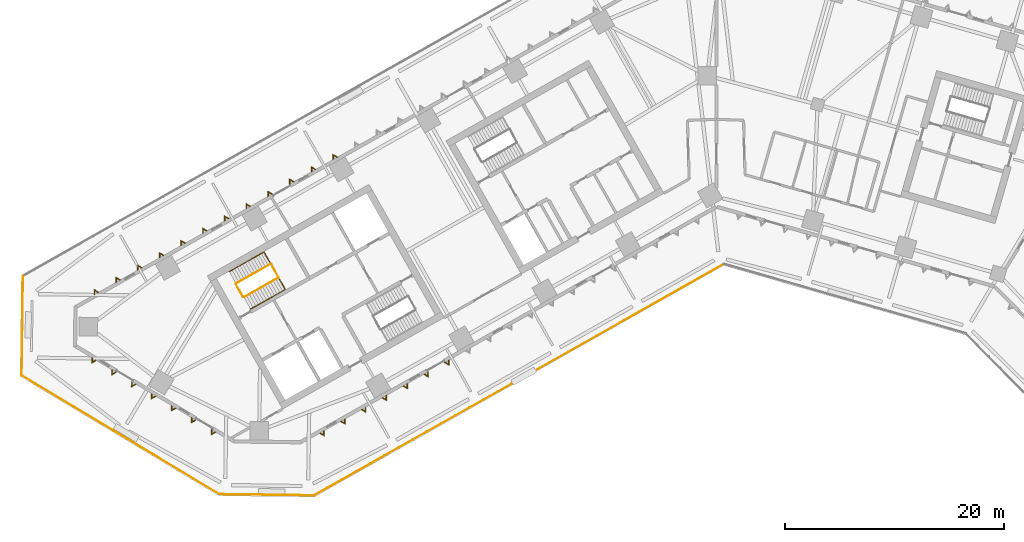
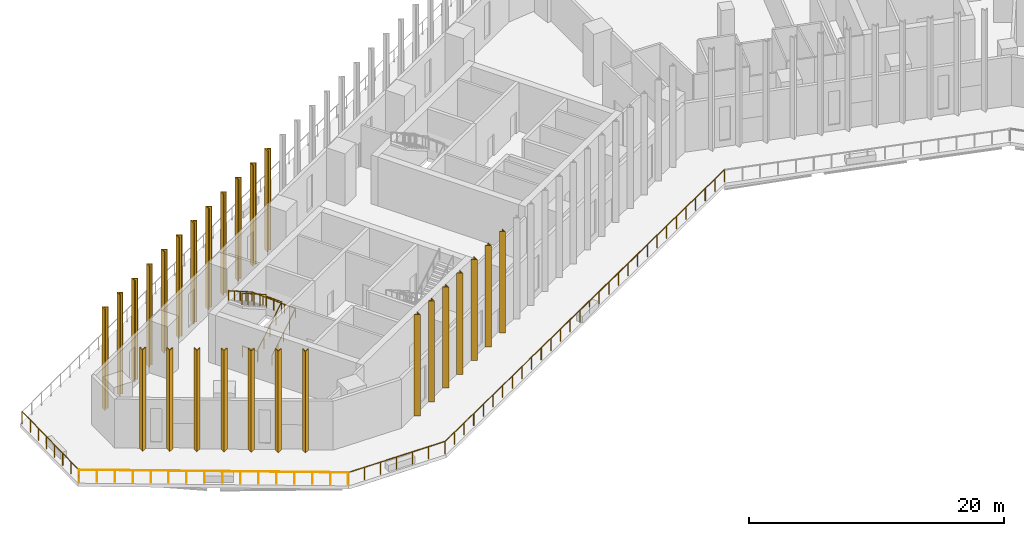
# One storey, part 12 of 17: 26 shading devices, 8 railings.
"""IFC4 building model written with IfcOpenShell, lengths in metres."""

import ifcopenshell
import ifcopenshell.guid

model = None  # the IFC model being written
_history = None  # IfcOwnerHistory: only IFC2X3 demands one
_inside = {}  # id of a spatial element -> (the spatial element, [elements in it])
_under = {}  # id of a project, library or spatial element -> (it, [spatial elements below it])
_declared = {}  # id of a project -> (the project, [libraries it declares])
_typed = {}  # id of a type object -> (the type object, [elements of that type])
_made_of = {}  # id of a material, layer set ... -> (it, [elements and type objects made of it])


def new_model(schema):
    """Start an empty IFC model of exactly this schema.

    Asked for "IFC4X3", IfcOpenShell would pick the latest addendum, in which some entities
    have other attributes; the version numbers below select the first issue.
    IFC2X3 requires an IfcOwnerHistory on every rooted entity: one is made here for all.
    """
    global model, _history
    if schema == "IFC4X3":
        model = ifcopenshell.file(schema_version=(4, 3, 0, 0))
    else:
        model = ifcopenshell.file(schema=schema)
    _inside.clear()
    _under.clear()
    _declared.clear()
    _typed.clear()
    _made_of.clear()
    _history = None
    if model.schema == "IFC2X3":
        org = make("IfcOrganization", Name="unknown")
        user = make(
            "IfcPersonAndOrganization",
            ThePerson=make("IfcPerson", FamilyName="unknown"),
            TheOrganization=org,
        )
        app = make(
            "IfcApplication",
            ApplicationDeveloper=org,
            Version="unknown",
            ApplicationFullName="unknown",
            ApplicationIdentifier="unknown",
        )
        _history = make(
            "IfcOwnerHistory",
            OwningUser=user,
            OwningApplication=app,
            ChangeAction="ADDED",
            CreationDate=0,
        )
    return model


def make(cls, **values):
    """One entity of the class cls with the attributes given. An attribute that is None is left unset."""
    return model.create_entity(
        cls, **{name: value for name, value in values.items() if value is not None}
    )


def rooted(cls, **values):
    """An entity with a GlobalId (a new one), such as an element, a storey or a relation."""
    return make(cls, GlobalId=ifcopenshell.guid.new(), OwnerHistory=_history, **values)


def si_unit(unit_type, name, prefix=None):
    """IfcSIUnit, for example si_unit("LENGTHUNIT", "METRE", prefix="MILLI")."""
    return make("IfcSIUnit", UnitType=unit_type, Prefix=prefix, Name=name)


def assignment(units):
    """IfcUnitAssignment: the units of a project."""
    return None if units is None else make("IfcUnitAssignment", Units=units)


def point(xyz):
    """IfcCartesianPoint."""
    return None if xyz is None else make("IfcCartesianPoint", Coordinates=xyz)


def direction(xyz):
    """IfcDirection."""
    return None if xyz is None else make("IfcDirection", DirectionRatios=xyz)


def frame(location, z_axis=None, x_axis=None):
    """IfcAxis2Placement3D, a coordinate frame: its origin and axes. An axis left out is left unset."""
    return make(
        "IfcAxis2Placement3D",
        Location=point(location),
        Axis=direction(z_axis),
        RefDirection=direction(x_axis),
    )


def frame_2d(location, x_axis=None):
    """IfcAxis2Placement2D, a coordinate frame in the plane: its origin and x axis."""
    return make(
        "IfcAxis2Placement2D", Location=point(location), RefDirection=direction(x_axis)
    )


def origin():
    """The frame at (0, 0, 0) with its axes left unset."""
    return frame((0.0, 0.0, 0.0))


def origin_2d():
    """The frame at (0, 0) in the plane with its x axis left unset."""
    return frame_2d((0.0, 0.0))


def place(relative_to, where):
    """IfcLocalPlacement: puts the frame where relative to a parent placement (None: the world)."""
    return make(
        "IfcLocalPlacement", PlacementRelTo=relative_to, RelativePlacement=where
    )


def context(
    kind, dimensions, precision=None, world=None, true_north=None, identifier=None
):
    """IfcGeometricRepresentationContext, for example the 3D "Model" context."""
    return make(
        "IfcGeometricRepresentationContext",
        ContextIdentifier=identifier,
        ContextType=kind,
        CoordinateSpaceDimension=dimensions,
        Precision=precision,
        WorldCoordinateSystem=world,
        TrueNorth=true_north,
    )


def subcontext(parent, identifier, kind, view, scale=None):
    """IfcGeometricRepresentationSubContext, for example "Body" below "Model"."""
    return make(
        "IfcGeometricRepresentationSubContext",
        ContextIdentifier=identifier,
        ContextType=kind,
        ParentContext=parent,
        TargetScale=scale,
        TargetView=view,
    )


def project(units=None, contexts=None):
    """IfcProject with its units and contexts."""
    return rooted(
        "IfcProject",
        Name="project",
        RepresentationContexts=contexts,
        UnitsInContext=assignment(units),
    )


def spatial(cls, under=None, at=None, **own):
    """A site, building, storey or space (cls), placed at a placement, below another one or the project."""
    s = rooted(cls, ObjectPlacement=at, **own)
    if under is not None:
        _under.setdefault(under.id(), (under, []))[1].append(s)
    return s


def polyline(points):
    """IfcPolyline through the points."""
    return make("IfcPolyline", Points=[point(p) for p in points])


def profile(cls, at=None, kind="AREA", **sizes):
    """A parametric profile (cls). Its sizes go by their IFC names, for example OverallWidth=200.0."""
    return make(cls, ProfileType=kind, Position=at, **sizes)


def circle(**sizes):
    """IfcCircleProfileDef."""
    return profile("IfcCircleProfileDef", **sizes)


def outline(outer, holes=None, kind="AREA"):
    """IfcArbitraryClosedProfileDef: a profile drawn as a closed curve; with holes, ...WithVoids."""
    if holes is None:
        return make("IfcArbitraryClosedProfileDef", ProfileType=kind, OuterCurve=outer)
    return make(
        "IfcArbitraryProfileDefWithVoids",
        ProfileType=kind,
        OuterCurve=outer,
        InnerCurves=holes,
    )


def extrude(swept, where, along, depth):
    """IfcExtrudedAreaSolid: the profile swept, set in the frame where, extruded along a direction by depth."""
    return make(
        "IfcExtrudedAreaSolid",
        SweptArea=swept,
        Position=where,
        ExtrudedDirection=direction(along),
        Depth=depth,
    )


def shape(context_of_items, identifier, shape_type, items):
    """IfcShapeRepresentation: the items that make up one representation, for example the "Body"."""
    return make(
        "IfcShapeRepresentation",
        ContextOfItems=context_of_items,
        RepresentationIdentifier=identifier,
        RepresentationType=shape_type,
        Items=items,
    )


def material(Name=None, Category=None):
    """IfcMaterial."""
    return make("IfcMaterial", Name=Name, Category=Category)


def made_of(thing, what):
    """Note that an element or type object is made of a material, layer set ...; save() writes the relation."""
    if what is not None:
        _made_of.setdefault(what.id(), (what, []))[1].append(thing)
    return thing


def type_object(cls, material=None, **own):
    """A type object (cls), such as IfcWallType, which elements share."""
    return made_of(rooted(cls, **own), material)


def element(
    cls,
    number,
    at=None,
    inside=None,
    cuts=None,
    type_object=None,
    material=None,
    context=None,
    identifier="Body",
    shape_type=None,
    held_by="IfcProductDefinitionShape",
    body=None,
    shapes=None,
    **own,
):
    """One element of the class cls, such as IfcWall. Its Tag is "e" and its number.

    at: its placement. inside: the storey or other place that contains it. cuts: it is an
    opening in that element (IfcRelVoidsElement). A single representation is given by context,
    identifier, shape_type and body (its items); several are given by shapes. held_by: the class
    of the entity that holds the representations. save() writes the other relations.
    """
    e = rooted(cls, Tag="e%d" % number, ObjectPlacement=at, **own)
    if body is not None:
        shapes = [shape(context, identifier, shape_type, body)]
    if shapes is not None:
        e.Representation = make(held_by, Representations=shapes)
    if inside is not None:
        _inside.setdefault(inside.id(), (inside, []))[1].append(e)
    if cuts is not None:
        rooted(
            "IfcRelVoidsElement", RelatingBuildingElement=cuts, RelatedOpeningElement=e
        )
    if type_object is not None:
        _typed.setdefault(type_object.id(), (type_object, []))[1].append(e)
    return made_of(e, material)


def aggregate(whole, parts):
    """IfcRelAggregates: a whole, such as a stair, and the parts it consists of."""
    return rooted("IfcRelAggregates", RelatingObject=whole, RelatedObjects=parts)


def save(model, path):
    """Write the relations noted so far, then the file.

    IfcRelAggregates (storeys below a building ...), IfcRelContainedInSpatialStructure (elements
    in a storey), IfcRelDefinesByType, IfcRelAssociatesMaterial and IfcRelDeclares: one each for
    every whole, place, type object, material and project.
    """
    for whole, parts in _under.values():
        aggregate(whole, parts)
    for where, things in _inside.values():
        rooted(
            "IfcRelContainedInSpatialStructure",
            RelatedElements=things,
            RelatingStructure=where,
        )
    for kind, things in _typed.values():
        rooted("IfcRelDefinesByType", RelatedObjects=things, RelatingType=kind)
    for what, things in _made_of.values():
        rooted("IfcRelAssociatesMaterial", RelatedObjects=things, RelatingMaterial=what)
    for by, libraries in _declared.values():
        rooted("IfcRelDeclares", RelatingContext=by, RelatedDefinitions=libraries)
    model.write(path)


model = new_model("IFC4")

# Units and contexts
model_context = context("Model", 3, precision=1e-05, world=origin(), true_north=direction((0.0, 1.0)))
body_context = subcontext(model_context, "Body", "Model", "MODEL_VIEW")
ifc_project = project(units=[si_unit("LENGTHUNIT", "METRE"), si_unit("AREAUNIT", "SQUARE_METRE"), si_unit("VOLUMEUNIT", "CUBIC_METRE"), si_unit("PLANEANGLEUNIT", "RADIAN"), si_unit("MASSUNIT", "GRAM", prefix="KILO")], contexts=[model_context])

# Site, building, storey
site_placement = place(None, origin())
site = spatial("IfcSite", under=ifc_project, at=site_placement, CompositionType="ELEMENT")
building_placement = place(site_placement, origin())
building = spatial("IfcBuilding", under=site, at=building_placement, Name="Binnacle Exchange Tower", CompositionType="ELEMENT")
storey_placement = place(building_placement, frame((0.0, 0.0, 26.5)))
storey = spatial("IfcBuildingStorey", under=building, at=storey_placement, Name="L05", CompositionType="ELEMENT", Elevation=26.5)

# Railings
ifc_material_1 = material(Name="Bronze anodised aluminium frame", Category="aluminium")
railing_type_1 = type_object("IfcRailingType", Name="GUARD 1200", PredefinedType="GUARDRAIL", material=ifc_material_1)
railing_1_placement = place(storey_placement, frame((-63.48291015625, 41.655517578125, 0.0)))
element("IfcRailing", 1, at=railing_1_placement, inside=storey, type_object=railing_type_1, Name="Terrace guard 5 Terrace P", PredefinedType="GUARDRAIL", context=body_context, shape_type="SweptSolid", body=[
    extrude(circle(Radius=0.02392578125, at=origin_2d()), frame((0.0, 0.0, 1.17578125), z_axis=(-0.013094626441, -0.999914261704, 0.0), x_axis=(0.999914261704, -0.013094626441, 0.0)), (0.0, 0.0, 1.0), 9.098388671875),
    extrude(circle(Radius=0.02099609375, at=origin_2d()), origin(), (0.0, 0.0, 1.0), 1.15185546875),
    extrude(circle(Radius=0.02099609375, at=origin_2d()), frame((-0.01708984375, -1.299560546875, 0.0)), (0.0, 0.0, 1.0), 1.15185546875),
    extrude(circle(Radius=0.02099609375, at=origin_2d()), frame((-0.033935546875, -2.599365234375, 0.0)), (0.0, 0.0, 1.0), 1.15185546875),
    extrude(circle(Radius=0.02099609375, at=origin_2d()), frame((-0.051025390625, -3.89892578125, 0.0)), (0.0, 0.0, 1.0), 1.15185546875),
    extrude(circle(Radius=0.02099609375, at=origin_2d()), frame((-0.068115234375, -5.19873046875, 0.0)), (0.0, 0.0, 1.0), 1.15185546875),
    extrude(circle(Radius=0.02099609375, at=origin_2d()), frame((-0.085205078125, -6.498291015625, 0.0)), (0.0, 0.0, 1.0), 1.15185546875),
    extrude(circle(Radius=0.02099609375, at=origin_2d()), frame((-0.10205078125, -7.798095703125, 0.0)), (0.0, 0.0, 1.0), 1.15185546875),
    extrude(circle(Radius=0.02099609375, at=origin_2d()), frame((-0.119140625, -9.09765625, 0.0)), (0.0, 0.0, 1.0), 1.15185546875),
])
railing_2_placement = place(storey_placement, frame((-63.60205078125, 32.557861328125, 0.0)))
element("IfcRailing", 2, at=railing_2_placement, inside=storey, type_object=railing_type_1, Name="Terrace guard 6 Terrace P", PredefinedType="GUARDRAIL", context=body_context, shape_type="SweptSolid", body=[
    extrude(circle(Radius=0.02392578125, at=origin_2d()), frame((0.0, 0.0, 1.17578125), z_axis=(0.857169073019, -0.515035125269, 0.0), x_axis=(0.515035125269, 0.857169073019, 0.0)), (0.0, 0.0, 1.0), 21.09716796875),
    extrude(circle(Radius=0.02099609375, at=origin_2d()), origin(), (0.0, 0.0, 1.0), 1.15185546875),
    extrude(circle(Radius=0.02099609375, at=origin_2d()), frame((1.20556640625, -0.724365234375, 0.0)), (0.0, 0.0, 1.0), 1.15185546875),
    extrude(circle(Radius=0.02099609375, at=origin_2d()), frame((2.4111328125, -1.44873046875, 0.0)), (0.0, 0.0, 1.0), 1.15185546875),
    extrude(circle(Radius=0.02099609375, at=origin_2d()), frame((3.61669921875, -2.173095703125, 0.0)), (0.0, 0.0, 1.0), 1.15185546875),
    extrude(circle(Radius=0.02099609375, at=origin_2d()), frame((4.822265625, -2.8974609375, 0.0)), (0.0, 0.0, 1.0), 1.15185546875),
    extrude(circle(Radius=0.02099609375, at=origin_2d()), frame((6.02783203125, -3.621826171875, 0.0)), (0.0, 0.0, 1.0), 1.15185546875),
    extrude(circle(Radius=0.02099609375, at=origin_2d()), frame((7.2333984375, -4.34619140625, 0.0)), (0.0, 0.0, 1.0), 1.15185546875),
    extrude(circle(Radius=0.02099609375, at=origin_2d()), frame((8.43896484375, -5.070556640625, 0.0)), (0.0, 0.0, 1.0), 1.15185546875),
    extrude(circle(Radius=0.02099609375, at=origin_2d()), frame((9.644775390625, -5.795166015625, 0.0)), (0.0, 0.0, 1.0), 1.15185546875),
    extrude(circle(Radius=0.02099609375, at=origin_2d()), frame((10.850341796875, -6.51953125, 0.0)), (0.0, 0.0, 1.0), 1.15185546875),
    extrude(circle(Radius=0.02099609375, at=origin_2d()), frame((12.055908203125, -7.243896484375, 0.0)), (0.0, 0.0, 1.0), 1.15185546875),
    extrude(circle(Radius=0.02099609375, at=origin_2d()), frame((13.261474609375, -7.96826171875, 0.0)), (0.0, 0.0, 1.0), 1.15185546875),
    extrude(circle(Radius=0.02099609375, at=origin_2d()), frame((14.467041015625, -8.692626953125, 0.0)), (0.0, 0.0, 1.0), 1.15185546875),
    extrude(circle(Radius=0.02099609375, at=origin_2d()), frame((15.672607421875, -9.4169921875, 0.0)), (0.0, 0.0, 1.0), 1.15185546875),
    extrude(circle(Radius=0.02099609375, at=origin_2d()), frame((16.878173828125, -10.141357421875, 0.0)), (0.0, 0.0, 1.0), 1.15185546875),
    extrude(circle(Radius=0.02099609375, at=origin_2d()), frame((18.083740234375, -10.86572265625, 0.0)), (0.0, 0.0, 1.0), 1.15185546875),
])
railing_3_placement = place(storey_placement, frame((-45.518310546875, 21.692138671875, 0.0)))
element("IfcRailing", 3, at=railing_3_placement, inside=storey, type_object=railing_type_1, Name="Terrace guard 7 Terrace P", PredefinedType="GUARDRAIL", context=body_context, shape_type="SweptSolid", body=[
    extrude(circle(Radius=0.02392578125, at=origin_2d()), frame((0.0, 0.0, 1.17578125), z_axis=(0.999914238981, -0.013096361466, 0.0), x_axis=(0.013096361466, 0.999914238981, 0.0)), (0.0, 0.0, 1.0), 8.66845703125),
    extrude(circle(Radius=0.02099609375, at=origin_2d()), origin(), (0.0, 0.0, 1.0), 1.15185546875),
    extrude(circle(Radius=0.02099609375, at=origin_2d()), frame((1.444580078125, -0.01904296875, 0.0)), (0.0, 0.0, 1.0), 1.15185546875),
    extrude(circle(Radius=0.02099609375, at=origin_2d()), frame((2.88916015625, -0.037841796875, 0.0)), (0.0, 0.0, 1.0), 1.15185546875),
    extrude(circle(Radius=0.02099609375, at=origin_2d()), frame((4.333984375, -0.056640625, 0.0)), (0.0, 0.0, 1.0), 1.15185546875),
    extrude(circle(Radius=0.02099609375, at=origin_2d()), frame((5.778564453125, -0.07568359375, 0.0)), (0.0, 0.0, 1.0), 1.15185546875),
    extrude(circle(Radius=0.02099609375, at=origin_2d()), frame((7.22314453125, -0.0947265625, 0.0)), (0.0, 0.0, 1.0), 1.15185546875),
    extrude(circle(Radius=0.02099609375, at=origin_2d()), frame((8.667724609375, -0.113525390625, 0.0)), (0.0, 0.0, 1.0), 1.15185546875),
])
railing_4_placement = place(storey_placement, frame((-36.8505859375, 21.57861328125, 0.0)))
element("IfcRailing", 4, at=railing_4_placement, inside=storey, type_object=railing_type_1, Name="Terrace guard 8 Terrace P", PredefinedType="GUARDRAIL", context=body_context, shape_type="SweptSolid", body=[
    extrude(circle(Radius=0.02392578125, at=origin_2d()), frame((0.0, 0.0, 1.17578125), z_axis=(0.870868977388, 0.491515232951, 0.0), x_axis=(-0.491515232951, 0.870868977388, 0.0)), (0.0, 0.0, 1.0), 43.093994140625),
    extrude(circle(Radius=0.02099609375, at=origin_2d()), origin(), (0.0, 0.0, 1.0), 1.15185546875),
    extrude(circle(Radius=0.02099609375, at=origin_2d()), frame((1.294189453125, 0.73046875, 0.0)), (0.0, 0.0, 1.0), 1.15185546875),
    extrude(circle(Radius=0.02099609375, at=origin_2d()), frame((2.588134765625, 1.460693359375, 0.0)), (0.0, 0.0, 1.0), 1.15185546875),
    extrude(circle(Radius=0.02099609375, at=origin_2d()), frame((3.88232421875, 2.191162109375, 0.0)), (0.0, 0.0, 1.0), 1.15185546875),
    extrude(circle(Radius=0.02099609375, at=origin_2d()), frame((5.176513671875, 2.921630859375, 0.0)), (0.0, 0.0, 1.0), 1.15185546875),
    extrude(circle(Radius=0.02099609375, at=origin_2d()), frame((6.470458984375, 3.65185546875, 0.0)), (0.0, 0.0, 1.0), 1.15185546875),
    extrude(circle(Radius=0.02099609375, at=origin_2d()), frame((7.7646484375, 4.38232421875, 0.0)), (0.0, 0.0, 1.0), 1.15185546875),
    extrude(circle(Radius=0.02099609375, at=origin_2d()), frame((9.058837890625, 5.11279296875, 0.0)), (0.0, 0.0, 1.0), 1.15185546875),
    extrude(circle(Radius=0.02099609375, at=origin_2d()), frame((10.35302734375, 5.84326171875, 0.0)), (0.0, 0.0, 1.0), 1.15185546875),
    extrude(circle(Radius=0.02099609375, at=origin_2d()), frame((11.64697265625, 6.573486328125, 0.0)), (0.0, 0.0, 1.0), 1.15185546875),
    extrude(circle(Radius=0.02099609375, at=origin_2d()), frame((12.941162109375, 7.303955078125, 0.0)), (0.0, 0.0, 1.0), 1.15185546875),
    extrude(circle(Radius=0.02099609375, at=origin_2d()), frame((14.2353515625, 8.034423828125, 0.0)), (0.0, 0.0, 1.0), 1.15185546875),
    extrude(circle(Radius=0.02099609375, at=origin_2d()), frame((15.529296875, 8.7646484375, 0.0)), (0.0, 0.0, 1.0), 1.15185546875),
    extrude(circle(Radius=0.02099609375, at=origin_2d()), frame((16.823486328125, 9.4951171875, 0.0)), (0.0, 0.0, 1.0), 1.15185546875),
    extrude(circle(Radius=0.02099609375, at=origin_2d()), frame((18.11767578125, 10.2255859375, 0.0)), (0.0, 0.0, 1.0), 1.15185546875),
    extrude(circle(Radius=0.02099609375, at=origin_2d()), frame((19.41162109375, 10.955810546875, 0.0)), (0.0, 0.0, 1.0), 1.15185546875),
    extrude(circle(Radius=0.02099609375, at=origin_2d()), frame((20.705810546875, 11.686279296875, 0.0)), (0.0, 0.0, 1.0), 1.15185546875),
    extrude(circle(Radius=0.02099609375, at=origin_2d()), frame((22.0, 12.416748046875, 0.0)), (0.0, 0.0, 1.0), 1.15185546875),
    extrude(circle(Radius=0.02099609375, at=origin_2d()), frame((23.2939453125, 13.14697265625, 0.0)), (0.0, 0.0, 1.0), 1.15185546875),
    extrude(circle(Radius=0.02099609375, at=origin_2d()), frame((24.588134765625, 13.87744140625, 0.0)), (0.0, 0.0, 1.0), 1.15185546875),
    extrude(circle(Radius=0.02099609375, at=origin_2d()), frame((25.88232421875, 14.60791015625, 0.0)), (0.0, 0.0, 1.0), 1.15185546875),
    extrude(circle(Radius=0.02099609375, at=origin_2d()), frame((27.17626953125, 15.338134765625, 0.0)), (0.0, 0.0, 1.0), 1.15185546875),
    extrude(circle(Radius=0.02099609375, at=origin_2d()), frame((28.470458984375, 16.068603515625, 0.0)), (0.0, 0.0, 1.0), 1.15185546875),
    extrude(circle(Radius=0.02099609375, at=origin_2d()), frame((29.7646484375, 16.799072265625, 0.0)), (0.0, 0.0, 1.0), 1.15185546875),
    extrude(circle(Radius=0.02099609375, at=origin_2d()), frame((31.058837890625, 17.529541015625, 0.0)), (0.0, 0.0, 1.0), 1.15185546875),
    extrude(circle(Radius=0.02099609375, at=origin_2d()), frame((32.352783203125, 18.259765625, 0.0)), (0.0, 0.0, 1.0), 1.15185546875),
    extrude(circle(Radius=0.02099609375, at=origin_2d()), frame((33.64697265625, 18.990234375, 0.0)), (0.0, 0.0, 1.0), 1.15185546875),
    extrude(circle(Radius=0.02099609375, at=origin_2d()), frame((34.941162109375, 19.720703125, 0.0)), (0.0, 0.0, 1.0), 1.15185546875),
    extrude(circle(Radius=0.02099609375, at=origin_2d()), frame((36.235107421875, 20.450927734375, 0.0)), (0.0, 0.0, 1.0), 1.15185546875),
    extrude(circle(Radius=0.02099609375, at=origin_2d()), frame((37.529296875, 21.181396484375, 0.0)), (0.0, 0.0, 1.0), 1.15185546875),
])
ifc_material_2 = material(Name="Steel guard rail", Category="steel")
railing_type_2 = type_object("IfcRailingType", Name="STAIR GUARD 1100", PredefinedType="GUARDRAIL", material=ifc_material_2)
railing_5_placement = place(storey_placement, frame((-43.26171875, 39.71728515625, 0.178466796875)))
element("IfcRailing", 5, at=railing_5_placement, inside=storey, type_object=railing_type_2, Name="L05 STA1 stair guard 1", PredefinedType="GUARDRAIL", context=body_context, shape_type="SweptSolid", body=[
    extrude(circle(Radius=0.02392578125, at=origin_2d()), frame((0.0, 0.0, 1.076171875), z_axis=(0.733795554141, 0.415191658331, 0.537735968274), x_axis=(-0.492450612189, 0.870340390052, 0.0)), (0.0, 0.0, 1.0), 4.317138671875),
    extrude(circle(Radius=0.02392578125, at=origin_2d()), frame((3.16796875, 1.79248046875, 3.3974609375), z_axis=(-0.460963092712, 0.887419307406, 0.0), x_axis=(-0.887419307406, -0.460963092712, 0.0)), (0.0, 0.0, 1.0), 1.40087890625),
    extrude(circle(Radius=0.02099609375, at=origin_2d()), origin(), (0.0, 0.0, 1.0), 1.052001953125),
    extrude(circle(Radius=0.02099609375, at=origin_2d()), frame((0.7919921875, 0.4482421875, 0.580322265625)), (0.0, 0.0, 1.0), 1.052001953125),
    extrude(circle(Radius=0.02099609375, at=origin_2d()), frame((1.583984375, 0.896240234375, 1.16064453125)), (0.0, 0.0, 1.0), 1.052001953125),
    extrude(circle(Radius=0.02099609375, at=origin_2d()), frame((2.3759765625, 1.34423828125, 1.7412109375)), (0.0, 0.0, 1.0), 1.052001953125),
    extrude(circle(Radius=0.02099609375, at=origin_2d()), frame((3.16796875, 1.79248046875, 2.321533203125)), (0.0, 0.0, 1.0), 1.052001953125),
    extrude(circle(Radius=0.02099609375, at=origin_2d()), frame((2.84521484375, 2.4140625, 2.321533203125)), (0.0, 0.0, 1.0), 1.052001953125),
    extrude(circle(Radius=0.02099609375, at=origin_2d()), frame((2.522216796875, 3.03564453125, 2.321533203125)), (0.0, 0.0, 1.0), 1.052001953125),
])
railing_6_placement = place(storey_placement, frame((-40.8076171875, 42.771728515625, 2.678466796875)))
element("IfcRailing", 6, at=railing_6_placement, inside=storey, type_object=railing_type_2, Name="L05 STA1 stair guard 2", PredefinedType="GUARDRAIL", context=body_context, shape_type="SweptSolid", body=[
    extrude(circle(Radius=0.02392578125, at=origin_2d()), frame((0.0, 0.0, 1.076171875), z_axis=(-0.733821652932, -0.415174429824, 0.537713654753), x_axis=(0.492421866095, -0.870356654361, 0.0)), (0.0, 0.0, 1.0), 4.3173828125),
    extrude(circle(Radius=0.02099609375, at=origin_2d()), origin(), (0.0, 0.0, 1.0), 1.052001953125),
    extrude(circle(Radius=0.02099609375, at=origin_2d()), frame((-0.7919921875, -0.4482421875, 0.580322265625)), (0.0, 0.0, 1.0), 1.052001953125),
    extrude(circle(Radius=0.02099609375, at=origin_2d()), frame((-1.583984375, -0.896240234375, 1.16064453125)), (0.0, 0.0, 1.0), 1.052001953125),
    extrude(circle(Radius=0.02099609375, at=origin_2d()), frame((-2.376220703125, -1.34423828125, 1.7412109375)), (0.0, 0.0, 1.0), 1.052001953125),
    extrude(circle(Radius=0.02099609375, at=origin_2d()), frame((-3.168212890625, -1.79248046875, 2.321533203125)), (0.0, 0.0, 1.0), 1.052001953125),
])
railing_7_placement = place(storey_placement, frame((-43.329833984375, 39.736328125, 0.0)))
element("IfcRailing", 7, at=railing_7_placement, inside=storey, type_object=railing_type_2, Name="L05 STA1 stair guard 3", PredefinedType="GUARDRAIL", context=body_context, shape_type="SweptSolid", body=[
    extrude(circle(Radius=0.02392578125, at=origin_2d()), frame((0.0, 0.0, 1.076171875), z_axis=(-0.4924922531, 0.870316827734, 0.0), x_axis=(-0.870316827734, -0.4924922531, 0.0)), (0.0, 0.0, 1.0), 1.349853515625),
    extrude(circle(Radius=0.02099609375, at=origin_2d()), origin(), (0.0, 0.0, 1.0), 1.052001953125),
    extrude(circle(Radius=0.02099609375, at=origin_2d()), frame((-0.33251953125, 0.58740234375, 0.0)), (0.0, 0.0, 1.0), 1.052001953125),
    extrude(circle(Radius=0.02099609375, at=origin_2d()), frame((-0.664794921875, 1.1748046875, 0.0)), (0.0, 0.0, 1.0), 1.052001953125),
])
ifc_material_3 = material(Name="Steel handrail", Category="steel")
railing_type_3 = type_object("IfcRailingType", Name="STAIR HANDRAIL 900", PredefinedType="HANDRAIL", material=ifc_material_3)
railing_8_placement = place(storey_placement, frame((-42.646240234375, 38.62939453125, 0.178466796875)))
element("IfcRailing", 8, at=railing_8_placement, inside=storey, type_object=railing_type_3, Name="L05 STA1 stair handrail 1", PredefinedType="HANDRAIL", context=body_context, shape_type="SweptSolid", body=[
    extrude(circle(Radius=0.02392578125, at=origin_2d()), frame((0.0, 0.0, 0.8759765625), z_axis=(0.733821652932, 0.415174429824, 0.537713654753), x_axis=(-0.492421866095, 0.870356654361, 0.0)), (0.0, 0.0, 1.0), 4.3173828125),
    extrude(circle(Radius=0.02392578125, at=origin_2d()), frame((3.168212890625, 1.79248046875, 3.197265625), z_axis=(-0.491985021148, 0.869432866815, 0.045135674003), x_axis=(-0.870319839224, -0.492486931251, 0.0)), (0.0, 0.0, 1.0), 3.9541015625),
    extrude(circle(Radius=0.02392578125, at=origin_2d()), frame((1.222900390625, 5.230224609375, 3.3759765625), z_axis=(-0.733812782489, -0.415144854829, 0.537748593457), x_axis=(0.492399802317, -0.870369137021, 0.0)), (0.0, 0.0, 1.0), 4.317138671875),
    extrude(circle(Radius=0.02099609375, at=origin_2d()), origin(), (0.0, 0.0, 1.0), 0.851806640625),
    extrude(circle(Radius=0.02099609375, at=origin_2d()), frame((0.7919921875, 0.4482421875, 0.580322265625)), (0.0, 0.0, 1.0), 0.851806640625),
    extrude(circle(Radius=0.02099609375, at=origin_2d()), frame((1.583984375, 0.896240234375, 1.16064453125)), (0.0, 0.0, 1.0), 0.851806640625),
    extrude(circle(Radius=0.02099609375, at=origin_2d()), frame((2.376220703125, 1.34423828125, 1.7412109375)), (0.0, 0.0, 1.0), 0.851806640625),
    extrude(circle(Radius=0.02099609375, at=origin_2d()), frame((3.168212890625, 1.79248046875, 2.321533203125)), (0.0, 0.0, 1.0), 0.851806640625),
    extrude(circle(Radius=0.02099609375, at=origin_2d()), frame((2.681884765625, 2.65185546875, 2.3662109375)), (0.0, 0.0, 1.0), 0.851806640625),
    extrude(circle(Radius=0.02099609375, at=origin_2d()), frame((2.195556640625, 3.51123046875, 2.41064453125)), (0.0, 0.0, 1.0), 0.851806640625),
    extrude(circle(Radius=0.02099609375, at=origin_2d()), frame((1.709228515625, 4.370849609375, 2.455322265625)), (0.0, 0.0, 1.0), 0.851806640625),
    extrude(circle(Radius=0.02099609375, at=origin_2d()), frame((1.222900390625, 5.230224609375, 2.5)), (0.0, 0.0, 1.0), 0.851806640625),
    extrude(circle(Radius=0.02099609375, at=origin_2d()), frame((0.430908203125, 4.7822265625, 3.080322265625)), (0.0, 0.0, 1.0), 0.851806640625),
    extrude(circle(Radius=0.02099609375, at=origin_2d()), frame((-0.361083984375, 4.333984375, 3.66064453125)), (0.0, 0.0, 1.0), 0.851806640625),
    extrude(circle(Radius=0.02099609375, at=origin_2d()), frame((-1.153076171875, 3.885986328125, 4.2412109375)), (0.0, 0.0, 1.0), 0.851806640625),
    extrude(circle(Radius=0.02099609375, at=origin_2d()), frame((-1.945068359375, 3.43798828125, 4.821533203125)), (0.0, 0.0, 1.0), 0.851806640625),
])

# Shading devices
ifc_material_4 = material(Name="Bronze aluminium cladding", Category="aluminium")
shading_device_type = type_object("IfcShadingDeviceType", Name="V FIN 433 DEEP x 9680 HIGH", PredefinedType="USERDEFINED", material=ifc_material_4)
shading_device_1_placement = place(storey_placement, origin())
element("IfcShadingDevice", 9, at=shading_device_1_placement, inside=storey, type_object=shading_device_type, Name="V fin FN-F03-16 L05", ObjectType="FIN", PredefinedType="USERDEFINED", context=body_context, shape_type="SweptSolid", body=[
    extrude(outline(polyline([(-34.687255859375, 52.547119140625), (-35.1181640625, 52.80078125), (-35.12255859375, 52.30078125), (-35.0419921875, 52.346435546875), (-35.039306640625, 52.66162109375), (-34.767578125, 52.501708984375), (-34.687255859375, 52.547119140625)])), origin(), (0.0, 0.0, 1.0), 9.679931640625),
])
shading_device_2_placement = place(storey_placement, origin())
element("IfcShadingDevice", 10, at=shading_device_2_placement, inside=storey, type_object=shading_device_type, Name="V fin FN-F03-17 L05", ObjectType="FIN", PredefinedType="USERDEFINED", context=body_context, shape_type="SweptSolid", body=[
    extrude(outline(polyline([(-36.673828125, 51.423095703125), (-37.104736328125, 51.677001953125), (-37.109130859375, 51.177001953125), (-37.02880859375, 51.222412109375), (-37.02587890625, 51.53759765625), (-36.75439453125, 51.377685546875), (-36.673828125, 51.423095703125)])), origin(), (0.0, 0.0, 1.0), 9.679931640625),
])
shading_device_3_placement = place(storey_placement, origin())
element("IfcShadingDevice", 11, at=shading_device_3_placement, inside=storey, type_object=shading_device_type, Name="V fin FN-F03-18 L05", ObjectType="FIN", PredefinedType="USERDEFINED", context=body_context, shape_type="SweptSolid", body=[
    extrude(outline(polyline([(-38.660400390625, 50.29931640625), (-39.09130859375, 50.552978515625), (-39.095703125, 50.052978515625), (-39.015380859375, 50.098388671875), (-39.012451171875, 50.413818359375), (-38.740966796875, 50.253662109375), (-38.660400390625, 50.29931640625)])), origin(), (0.0, 0.0, 1.0), 9.679931640625),
])
shading_device_4_placement = place(storey_placement, origin())
element("IfcShadingDevice", 12, at=shading_device_4_placement, inside=storey, type_object=shading_device_type, Name="V fin FN-F03-19 L05", ObjectType="FIN", PredefinedType="USERDEFINED", context=body_context, shape_type="SweptSolid", body=[
    extrude(outline(polyline([(-40.64697265625, 49.17529296875), (-41.077880859375, 49.42919921875), (-41.082275390625, 48.92919921875), (-41.001708984375, 48.974609375), (-40.9990234375, 49.289794921875), (-40.727294921875, 49.1298828125), (-40.64697265625, 49.17529296875)])), origin(), (0.0, 0.0, 1.0), 9.679931640625),
])
shading_device_5_placement = place(storey_placement, origin())
element("IfcShadingDevice", 13, at=shading_device_5_placement, inside=storey, type_object=shading_device_type, Name="V fin FN-F03-20 L05", ObjectType="FIN", PredefinedType="USERDEFINED", context=body_context, shape_type="SweptSolid", body=[
    extrude(outline(polyline([(-42.633544921875, 48.05126953125), (-43.064453125, 48.30517578125), (-43.06884765625, 47.80517578125), (-42.98828125, 47.8505859375), (-42.985595703125, 48.165771484375), (-42.714111328125, 48.005859375), (-42.633544921875, 48.05126953125)])), origin(), (0.0, 0.0, 1.0), 9.679931640625),
])
shading_device_6_placement = place(storey_placement, origin())
element("IfcShadingDevice", 14, at=shading_device_6_placement, inside=storey, type_object=shading_device_type, Name="V fin FN-F03-21 L05", ObjectType="FIN", PredefinedType="USERDEFINED", context=body_context, shape_type="SweptSolid", body=[
    extrude(outline(polyline([(-44.6201171875, 46.927490234375), (-45.051025390625, 47.18115234375), (-45.055419921875, 46.68115234375), (-44.97509765625, 46.726806640625), (-44.97216796875, 47.0419921875), (-44.70068359375, 46.8818359375), (-44.6201171875, 46.927490234375)])), origin(), (0.0, 0.0, 1.0), 9.679931640625),
])
shading_device_7_placement = place(storey_placement, origin())
element("IfcShadingDevice", 15, at=shading_device_7_placement, inside=storey, type_object=shading_device_type, Name="V fin FN-F03-22 L05", ObjectType="FIN", PredefinedType="USERDEFINED", context=body_context, shape_type="SweptSolid", body=[
    extrude(outline(polyline([(-46.606689453125, 45.803466796875), (-47.03759765625, 46.057373046875), (-47.0419921875, 45.557373046875), (-46.96142578125, 45.602783203125), (-46.958740234375, 45.91796875), (-46.68701171875, 45.758056640625), (-46.606689453125, 45.803466796875)])), origin(), (0.0, 0.0, 1.0), 9.679931640625),
])
shading_device_8_placement = place(storey_placement, origin())
element("IfcShadingDevice", 16, at=shading_device_8_placement, inside=storey, type_object=shading_device_type, Name="V fin FN-F03-23 L05", ObjectType="FIN", PredefinedType="USERDEFINED", context=body_context, shape_type="SweptSolid", body=[
    extrude(outline(polyline([(-48.59326171875, 44.679443359375), (-49.024169921875, 44.933349609375), (-49.028564453125, 44.433349609375), (-48.947998046875, 44.478759765625), (-48.9453125, 44.7939453125), (-48.673583984375, 44.634033203125), (-48.59326171875, 44.679443359375)])), origin(), (0.0, 0.0, 1.0), 9.679931640625),
])
shading_device_9_placement = place(storey_placement, origin())
element("IfcShadingDevice", 17, at=shading_device_9_placement, inside=storey, type_object=shading_device_type, Name="V fin FN-F03-24 L05", ObjectType="FIN", PredefinedType="USERDEFINED", context=body_context, shape_type="SweptSolid", body=[
    extrude(outline(polyline([(-50.579833984375, 43.5556640625), (-51.010498046875, 43.809326171875), (-51.014892578125, 43.309326171875), (-50.9345703125, 43.35498046875), (-50.931884765625, 43.670166015625), (-50.66015625, 43.510009765625), (-50.579833984375, 43.5556640625)])), origin(), (0.0, 0.0, 1.0), 9.679931640625),
])
shading_device_10_placement = place(storey_placement, origin())
element("IfcShadingDevice", 18, at=shading_device_10_placement, inside=storey, type_object=shading_device_type, Name="V fin FN-F03-25 L05", ObjectType="FIN", PredefinedType="USERDEFINED", context=body_context, shape_type="SweptSolid", body=[
    extrude(outline(polyline([(-52.56640625, 42.431640625), (-52.997314453125, 42.685546875), (-53.001708984375, 42.185546875), (-52.921142578125, 42.23095703125), (-52.91845703125, 42.546142578125), (-52.646728515625, 42.38623046875), (-52.56640625, 42.431640625)])), origin(), (0.0, 0.0, 1.0), 9.679931640625),
])
shading_device_11_placement = place(storey_placement, origin())
element("IfcShadingDevice", 19, at=shading_device_11_placement, inside=storey, type_object=shading_device_type, Name="V fin FN-F03-26 L05", ObjectType="FIN", PredefinedType="USERDEFINED", context=body_context, shape_type="SweptSolid", body=[
    extrude(outline(polyline([(-54.552978515625, 41.3076171875), (-54.98388671875, 41.5615234375), (-54.98828125, 41.0615234375), (-54.90771484375, 41.10693359375), (-54.905029296875, 41.422119140625), (-54.63330078125, 41.26220703125), (-54.552978515625, 41.3076171875)])), origin(), (0.0, 0.0, 1.0), 9.679931640625),
])
shading_device_12_placement = place(storey_placement, origin())
element("IfcShadingDevice", 20, at=shading_device_12_placement, inside=storey, type_object=shading_device_type, Name="V fin FN-F03-27 L05", ObjectType="FIN", PredefinedType="USERDEFINED", context=body_context, shape_type="SweptSolid", body=[
    extrude(outline(polyline([(-56.53955078125, 40.183837890625), (-56.97021484375, 40.4375), (-56.974609375, 39.9375), (-56.894287109375, 39.983154296875), (-56.8916015625, 40.29833984375), (-56.619873046875, 40.13818359375), (-56.53955078125, 40.183837890625)])), origin(), (0.0, 0.0, 1.0), 9.679931640625),
])
shading_device_13_placement = place(storey_placement, origin())
element("IfcShadingDevice", 21, at=shading_device_13_placement, inside=storey, type_object=shading_device_type, Name="V fin FN-F05-01 L05", ObjectType="FIN", PredefinedType="USERDEFINED", context=body_context, shape_type="SweptSolid", body=[
    extrude(outline(polyline([(-57.18603515625, 34.185791015625), (-57.19482421875, 33.685791015625), (-56.757568359375, 33.92822265625), (-56.836669921875, 33.975830078125), (-57.1123046875, 33.822998046875), (-57.10693359375, 34.13818359375), (-57.18603515625, 34.185791015625)])), origin(), (0.0, 0.0, 1.0), 9.679931640625),
])
shading_device_14_placement = place(storey_placement, origin())
element("IfcShadingDevice", 22, at=shading_device_14_placement, inside=storey, type_object=shading_device_type, Name="V fin FN-F05-02 L05", ObjectType="FIN", PredefinedType="USERDEFINED", context=body_context, shape_type="SweptSolid", body=[
    extrude(outline(polyline([(-55.364501953125, 33.09130859375), (-55.373291015625, 32.59130859375), (-54.93603515625, 32.833740234375), (-55.01513671875, 32.88134765625), (-55.291015625, 32.728515625), (-55.285400390625, 33.043701171875), (-55.364501953125, 33.09130859375)])), origin(), (0.0, 0.0, 1.0), 9.679931640625),
])
shading_device_15_placement = place(storey_placement, origin())
element("IfcShadingDevice", 23, at=shading_device_15_placement, inside=storey, type_object=shading_device_type, Name="V fin FN-F05-03 L05", ObjectType="FIN", PredefinedType="USERDEFINED", context=body_context, shape_type="SweptSolid", body=[
    extrude(outline(polyline([(-53.543212890625, 31.9970703125), (-53.5517578125, 31.4970703125), (-53.114501953125, 31.739501953125), (-53.193603515625, 31.787109375), (-53.469482421875, 31.63427734375), (-53.4638671875, 31.949462890625), (-53.543212890625, 31.9970703125)])), origin(), (0.0, 0.0, 1.0), 9.679931640625),
])
shading_device_16_placement = place(storey_placement, origin())
element("IfcShadingDevice", 24, at=shading_device_16_placement, inside=storey, type_object=shading_device_type, Name="V fin FN-F05-04 L05", ObjectType="FIN", PredefinedType="USERDEFINED", context=body_context, shape_type="SweptSolid", body=[
    extrude(outline(polyline([(-51.7216796875, 30.902587890625), (-51.730224609375, 30.402587890625), (-51.29296875, 30.64501953125), (-51.372314453125, 30.6923828125), (-51.64794921875, 30.539794921875), (-51.642333984375, 30.85498046875), (-51.7216796875, 30.902587890625)])), origin(), (0.0, 0.0, 1.0), 9.679931640625),
])
shading_device_17_placement = place(storey_placement, origin())
element("IfcShadingDevice", 25, at=shading_device_17_placement, inside=storey, type_object=shading_device_type, Name="V fin FN-F05-05 L05", ObjectType="FIN", PredefinedType="USERDEFINED", context=body_context, shape_type="SweptSolid", body=[
    extrude(outline(polyline([(-49.900146484375, 29.80810546875), (-49.908935546875, 29.30810546875), (-49.4716796875, 29.55029296875), (-49.55078125, 29.597900390625), (-49.826416015625, 29.4453125), (-49.821044921875, 29.760498046875), (-49.900146484375, 29.80810546875)])), origin(), (0.0, 0.0, 1.0), 9.679931640625),
])
shading_device_18_placement = place(storey_placement, origin())
element("IfcShadingDevice", 26, at=shading_device_18_placement, inside=storey, type_object=shading_device_type, Name="V fin FN-F05-06 L05", ObjectType="FIN", PredefinedType="USERDEFINED", context=body_context, shape_type="SweptSolid", body=[
    extrude(outline(polyline([(-48.07861328125, 28.713623046875), (-48.08740234375, 28.213623046875), (-47.650146484375, 28.4560546875), (-47.729248046875, 28.503662109375), (-48.0048828125, 28.350830078125), (-47.99951171875, 28.666015625), (-48.07861328125, 28.713623046875)])), origin(), (0.0, 0.0, 1.0), 9.679931640625),
])
shading_device_19_placement = place(storey_placement, origin())
element("IfcShadingDevice", 27, at=shading_device_19_placement, inside=storey, type_object=shading_device_type, Name="V fin FN-F05-07 L05", ObjectType="FIN", PredefinedType="USERDEFINED", context=body_context, shape_type="SweptSolid", body=[
    extrude(outline(polyline([(-46.257080078125, 27.619140625), (-46.265869140625, 27.119140625), (-45.82861328125, 27.361572265625), (-45.90771484375, 27.4091796875), (-46.18359375, 27.25634765625), (-46.177978515625, 27.571533203125), (-46.257080078125, 27.619140625)])), origin(), (0.0, 0.0, 1.0), 9.679931640625),
])
shading_device_20_placement = place(storey_placement, origin())
element("IfcShadingDevice", 28, at=shading_device_20_placement, inside=storey, type_object=shading_device_type, Name="V fin FN-F07-01 L05", ObjectType="FIN", PredefinedType="USERDEFINED", context=body_context, shape_type="SweptSolid", body=[
    extrude(outline(polyline([(-36.336669921875, 27.269287109375), (-35.906005859375, 27.015625), (-35.901611328125, 27.515625), (-35.98193359375, 27.47021484375), (-35.984619140625, 27.15478515625), (-36.25634765625, 27.31494140625), (-36.336669921875, 27.269287109375)])), origin(), (0.0, 0.0, 1.0), 9.679931640625),
])
shading_device_21_placement = place(storey_placement, origin())
element("IfcShadingDevice", 29, at=shading_device_21_placement, inside=storey, type_object=shading_device_type, Name="V fin FN-F07-02 L05", ObjectType="FIN", PredefinedType="USERDEFINED", context=body_context, shape_type="SweptSolid", body=[
    extrude(outline(polyline([(-34.431640625, 28.34716796875), (-34.0009765625, 28.09326171875), (-33.99658203125, 28.59326171875), (-34.076904296875, 28.5478515625), (-34.07958984375, 28.232666015625), (-34.351318359375, 28.392578125), (-34.431640625, 28.34716796875)])), origin(), (0.0, 0.0, 1.0), 9.679931640625),
])
shading_device_22_placement = place(storey_placement, origin())
element("IfcShadingDevice", 30, at=shading_device_22_placement, inside=storey, type_object=shading_device_type, Name="V fin FN-F07-03 L05", ObjectType="FIN", PredefinedType="USERDEFINED", context=body_context, shape_type="SweptSolid", body=[
    extrude(outline(polyline([(-32.52685546875, 29.4248046875), (-32.09619140625, 29.171142578125), (-32.091796875, 29.671142578125), (-32.172119140625, 29.62548828125), (-32.1748046875, 29.310302734375), (-32.446533203125, 29.470458984375), (-32.52685546875, 29.4248046875)])), origin(), (0.0, 0.0, 1.0), 9.679931640625),
])
shading_device_23_placement = place(storey_placement, origin())
element("IfcShadingDevice", 31, at=shading_device_23_placement, inside=storey, type_object=shading_device_type, Name="V fin FN-F07-04 L05", ObjectType="FIN", PredefinedType="USERDEFINED", context=body_context, shape_type="SweptSolid", body=[
    extrude(outline(polyline([(-30.6220703125, 30.502685546875), (-30.191162109375, 30.248779296875), (-30.186767578125, 30.748779296875), (-30.26708984375, 30.703369140625), (-30.27001953125, 30.38818359375), (-30.54150390625, 30.548095703125), (-30.6220703125, 30.502685546875)])), origin(), (0.0, 0.0, 1.0), 9.679931640625),
])
shading_device_24_placement = place(storey_placement, origin())
element("IfcShadingDevice", 32, at=shading_device_24_placement, inside=storey, type_object=shading_device_type, Name="V fin FN-F07-05 L05", ObjectType="FIN", PredefinedType="USERDEFINED", context=body_context, shape_type="SweptSolid", body=[
    extrude(outline(polyline([(-28.717041015625, 31.580322265625), (-28.286376953125, 31.326416015625), (-28.281982421875, 31.826416015625), (-28.3623046875, 31.781005859375), (-28.364990234375, 31.4658203125), (-28.63671875, 31.625732421875), (-28.717041015625, 31.580322265625)])), origin(), (0.0, 0.0, 1.0), 9.679931640625),
])
shading_device_25_placement = place(storey_placement, origin())
element("IfcShadingDevice", 33, at=shading_device_25_placement, inside=storey, type_object=shading_device_type, Name="V fin FN-F07-06 L05", ObjectType="FIN", PredefinedType="USERDEFINED", context=body_context, shape_type="SweptSolid", body=[
    extrude(outline(polyline([(-26.812255859375, 32.658203125), (-26.38134765625, 32.404296875), (-26.376953125, 32.904296875), (-26.45751953125, 32.85888671875), (-26.460205078125, 32.543701171875), (-26.731689453125, 32.70361328125), (-26.812255859375, 32.658203125)])), origin(), (0.0, 0.0, 1.0), 9.679931640625),
])
shading_device_26_placement = place(storey_placement, origin())
element("IfcShadingDevice", 34, at=shading_device_26_placement, inside=storey, type_object=shading_device_type, Name="V fin FN-F07-07 L05", ObjectType="FIN", PredefinedType="USERDEFINED", context=body_context, shape_type="SweptSolid", body=[
    extrude(outline(polyline([(-24.9072265625, 33.73583984375), (-24.4765625, 33.48193359375), (-24.47216796875, 33.98193359375), (-24.552490234375, 33.9365234375), (-24.555419921875, 33.621337890625), (-24.826904296875, 33.78125), (-24.9072265625, 33.73583984375)])), origin(), (0.0, 0.0, 1.0), 9.679931640625),
])

save(model, "model.ifc")
